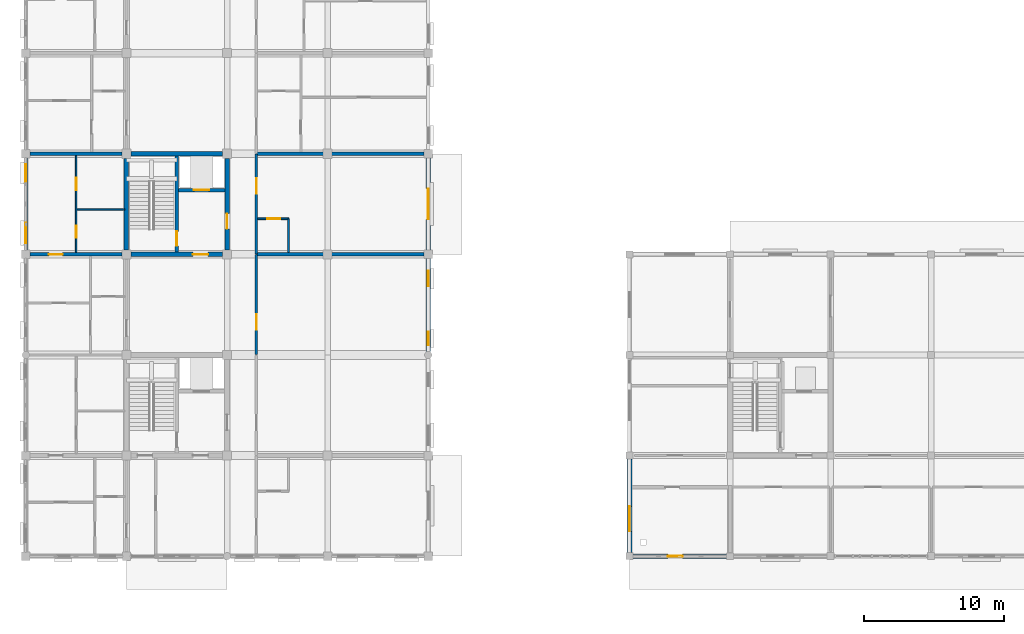
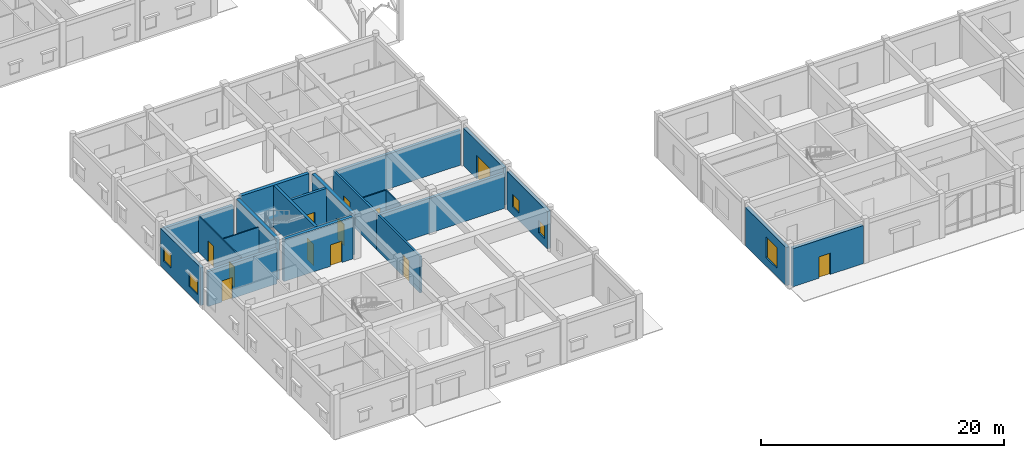
# One storey, part 96 of 138: 21 walls, 12 doors, 5 windows, 17 openings.
"""IFC4 building model written with IfcOpenShell, lengths in metres."""

from ifc_helpers import new_model, si_unit, direction, frame, frame_2d, origin, place, context, subcontext, project, spatial, rectangle, extrude, material, layer, layer_set, type_object, element, fill, save


model = new_model("IFC4")

# Units and contexts
model_context = context("Model", 3, precision=1e-05, world=origin(), true_north=direction((0.0, 1.0)))
body_context = subcontext(model_context, "Body", "Model", "MODEL_VIEW")
ifc_project = project(units=[si_unit("LENGTHUNIT", "METRE"), si_unit("AREAUNIT", "SQUARE_METRE"), si_unit("VOLUMEUNIT", "CUBIC_METRE"), si_unit("PLANEANGLEUNIT", "RADIAN"), si_unit("MASSUNIT", "GRAM", prefix="KILO"), si_unit("THERMODYNAMICTEMPERATUREUNIT", "KELVIN"), si_unit("POWERUNIT", "WATT")], contexts=[model_context])

# Site, building, storey
site_placement = place(None, origin())
site = spatial("IfcSite", under=ifc_project, at=site_placement, CompositionType="ELEMENT")
building_placement = place(site_placement, origin())
building = spatial("IfcBuilding", under=site, at=building_placement, Name="Tavuni Mirador Residences", CompositionType="ELEMENT")
storey_placement = place(building_placement, origin())
storey = spatial("IfcBuildingStorey", under=building, at=storey_placement, Name="L00", CompositionType="ELEMENT", Elevation=0.0)

# Wall, opening, door
ifc_material_1 = material(Name="Precast concrete C40/50", Category="concrete")
ifc_layer_1 = layer(ifc_material_1, 0.25, Name="Precast concrete C40/50", Category="concrete")
ifc_layer_set_1 = layer_set([ifc_layer_1], Name="Precast concrete C40/50")
wall_type_1 = type_object("IfcWallType", Name="WT-COR250", PredefinedType="SHEAR", material=ifc_layer_set_1)
wall_1_placement = place(storey_placement, frame((14.39990234375, 28.9599609375, 0.0), z_axis=(0.0, 0.0, 1.0), x_axis=(0.0, 1.0, 0.0)))
wall_1 = element("IfcWall", 1, at=wall_1_placement, inside=storey, type_object=wall_type_1, Name="CWALL-C2-L00-MID", PredefinedType="SHEAR", context=body_context, shape_type="SweptSolid", body=[
    extrude(rectangle(XDim=6.880126953125, YDim=0.25, at=frame_2d((3.43994140625, 0.0))), origin(), (0.0, 0.0, 1.0), 4.219970703125),
])
opening_1_placement = place(wall_1_placement, frame((0.43994140625, 0.0, 0.0)))
opening_1 = element("IfcOpeningElement", 2, at=opening_1_placement, cuts=wall_1, Name="Opening D-01", PredefinedType="OPENING", context=body_context, shape_type="SweptSolid", body=[
    extrude(rectangle(XDim=1.050048828125, YDim=2.14990234375, at=frame_2d((0.52490234375, 1.074951171875))), frame((0.0, 0.135009765625, 0.0), z_axis=(0.0, -1.0, 0.0), x_axis=(1.0, 0.0, 0.0)), (0.0, 0.0, 1.0), 0.27001953125),
])
ifc_material_2 = material(Name="Solid core iroko timber", Category="wood")
door_type_1 = type_object("IfcDoorType", Name="DT-ST1050", OperationType="NOTDEFINED", PredefinedType="DOOR", material=ifc_material_2)
door_1_placement = place(opening_1_placement, frame((1.050048828125, 0.0, 0.0), z_axis=(0.0, 0.0, 1.0), x_axis=(-1.0, 0.0, 0.0)))
door_1 = element("IfcDoor", 3, at=door_1_placement, inside=storey, type_object=door_type_1, Name="DR-2060", OperationType="SINGLE_SWING_RIGHT", OverallHeight=2.14990234375, OverallWidth=1.050048828125, PredefinedType="DOOR", context=body_context, shape_type="SweptSolid", body=[
    extrude(rectangle(XDim=1.050048828125, YDim=2.14990234375, at=frame_2d((0.52490234375, 1.074951171875))), frame((0.0, 0.02490234375, 0.0), z_axis=(0.0, -1.0, 0.0), x_axis=(1.0, 0.0, 0.0)), (0.0, 0.0, 1.0), 0.050048828125),
])
fill(opening_1, door_1)

wall_2_placement = place(storey_placement, frame((14.52490234375, 33.39990234375, 0.0), z_axis=(0.0, 0.0, 1.0), x_axis=(1.0, 0.0, 0.0)))
wall_2 = element("IfcWall", 4, at=wall_2_placement, inside=storey, type_object=wall_type_1, Name="CWALL-C2-L00-SHF", PredefinedType="SHEAR", context=body_context, shape_type="SweptSolid", body=[
    extrude(rectangle(XDim=3.315185546875, YDim=0.25, at=frame_2d((1.65771484375, 0.0))), origin(), (0.0, 0.0, 1.0), 4.219970703125),
])
opening_2_placement = place(wall_2_placement, frame((1.10009765625, 0.0, 0.0)))
opening_2 = element("IfcOpeningElement", 5, at=opening_2_placement, cuts=wall_2, Name="Opening LD-01", PredefinedType="OPENING", context=body_context, shape_type="SweptSolid", body=[
    extrude(rectangle(XDim=1.10009765625, YDim=2.199951171875, at=frame_2d((0.550048828125, 1.10009765625))), frame((0.0, 0.135009765625, 0.0), z_axis=(0.0, -1.0, 0.0), x_axis=(1.0, 0.0, 0.0)), (0.0, 0.0, 1.0), 0.27001953125),
])
ifc_material_3 = material(Name="Structural steel S355", Category="steel")
door_type_2 = type_object("IfcDoorType", Name="DT-LD-FF", OperationType="SLIDING_TO_LEFT", PredefinedType="DOOR", material=ifc_material_3)
door_2_placement = place(opening_2_placement, origin())
door_2 = element("IfcDoor", 6, at=door_2_placement, inside=storey, type_object=door_type_2, Name="Lift landing door FL-A2 L00", OperationType="SLIDING_TO_LEFT", OverallHeight=2.199951171875, OverallWidth=1.10009765625, PredefinedType="DOOR", context=body_context, shape_type="SweptSolid", body=[
    extrude(rectangle(XDim=1.10009765625, YDim=2.199951171875, at=frame_2d((0.550048828125, 1.10009765625))), frame((0.0, 0.02490234375, 0.0), z_axis=(0.0, -1.0, 0.0), x_axis=(1.0, 0.0, 0.0)), (0.0, 0.0, 1.0), 0.050048828125),
])
fill(opening_2, door_2)

# Walls
ifc_layer_2 = layer(ifc_material_1, 0.320068359375, Name="Precast concrete C40/50", Category="concrete")
ifc_layer_set_2 = layer_set([ifc_layer_2], Name="Precast concrete C40/50")
wall_type_2 = type_object("IfcWallType", Name="WT-COR320", PredefinedType="SHEAR", material=ifc_layer_set_2)
for number, where, z_axis, x_axis, name in (
    (7, (10.800048828125, 29.125, 0.0), (0.0, 0.0, 1.0), (0.0, 1.0, 0.0), "CWALL-C2-L00-W"),
    (8, (11.125, 36.0, 0.0), (0.0, 0.0, 1.0), (1.0, 0.0, 0.0), "CWALL-C2-L00-N"),
):
    element("IfcWall", number, at=place(storey_placement, frame(where, z_axis=z_axis, x_axis=x_axis)), inside=storey, type_object=wall_type_2, Name=name, PredefinedType="SHEAR", context=body_context, shape_type="SweptSolid", body=[
        extrude(rectangle(XDim=6.550048828125, YDim=0.320068359375, at=frame_2d((3.27490234375, 0.0))), origin(), (0.0, 0.0, 1.0), 4.219970703125),
    ])

# Wall, opening, door
wall_3_placement = place(storey_placement, frame((18.0, 29.125, 0.0), z_axis=(0.0, 0.0, 1.0), x_axis=(0.0, 1.0, 0.0)))
wall_3 = element("IfcWall", 9, at=wall_3_placement, inside=storey, type_object=wall_type_2, Name="CWALL-C2-L00-E", PredefinedType="SHEAR", context=body_context, shape_type="SweptSolid", body=[
    extrude(rectangle(XDim=6.550048828125, YDim=0.320068359375, at=frame_2d((3.27490234375, 0.0))), origin(), (0.0, 0.0, 1.0), 4.219970703125),
])
opening_3_placement = place(wall_3_placement, frame((1.5, 0.0, 0.0)))
opening_3 = element("IfcOpeningElement", 10, at=opening_3_placement, cuts=wall_3, Name="Opening D-02", PredefinedType="OPENING", context=body_context, shape_type="SweptSolid", body=[
    extrude(rectangle(XDim=1.10009765625, YDim=2.14990234375, at=frame_2d((0.550048828125, 1.074951171875))), frame((0.0, 0.169921875, 0.0), z_axis=(0.0, -1.0, 0.0), x_axis=(1.0, 0.0, 0.0)), (0.0, 0.0, 1.0), 0.340087890625),
])
door_type_3 = type_object("IfcDoorType", Name="DT-LOB1100", OperationType="NOTDEFINED", PredefinedType="DOOR", material=ifc_material_2)
door_3_placement = place(opening_3_placement, frame((1.10009765625, 0.0, 0.0), z_axis=(0.0, 0.0, 1.0), x_axis=(-1.0, 0.0, 0.0)))
door_3 = element("IfcDoor", 11, at=door_3_placement, inside=storey, type_object=door_type_3, Name="DR-2058", OperationType="SINGLE_SWING_LEFT", OverallHeight=2.14990234375, OverallWidth=1.10009765625, PredefinedType="DOOR", context=body_context, shape_type="SweptSolid", body=[
    extrude(rectangle(XDim=1.10009765625, YDim=2.14990234375, at=frame_2d((0.550048828125, 1.074951171875))), frame((0.0, 0.02490234375, 0.0), z_axis=(0.0, -1.0, 0.0), x_axis=(1.0, 0.0, 0.0)), (0.0, 0.0, 1.0), 0.050048828125),
])
fill(opening_3, door_3)

wall_4_placement = place(storey_placement, frame((11.125, 28.800048828125, 0.0), z_axis=(0.0, 0.0, 1.0), x_axis=(1.0, 0.0, 0.0)))
wall_4 = element("IfcWall", 12, at=wall_4_placement, inside=storey, type_object=wall_type_2, Name="CWALL-C2-L00-SS", PredefinedType="SHEAR", context=body_context, shape_type="SweptSolid", body=[
    extrude(rectangle(XDim=6.550048828125, YDim=0.320068359375, at=frame_2d((3.27490234375, 0.0))), origin(), (0.0, 0.0, 1.0), 4.219970703125),
])
opening_4_placement = place(wall_4_placement, frame((4.425048828125, 0.0, 0.0)))
opening_4 = element("IfcOpeningElement", 13, at=opening_4_placement, cuts=wall_4, Name="Opening D-02", PredefinedType="OPENING", context=body_context, shape_type="SweptSolid", body=[
    extrude(rectangle(XDim=1.10009765625, YDim=2.14990234375, at=frame_2d((0.550048828125, 1.074951171875))), frame((0.0, 0.169921875, 0.0), z_axis=(0.0, -1.0, 0.0), x_axis=(1.0, 0.0, 0.0)), (0.0, 0.0, 1.0), 0.340087890625),
])
door_4_placement = place(opening_4_placement, frame((1.10009765625, 0.0, 0.0), z_axis=(0.0, 0.0, 1.0), x_axis=(-1.0, 0.0, 0.0)))
door_4 = element("IfcDoor", 14, at=door_4_placement, inside=storey, type_object=door_type_3, Name="DR-2059", OperationType="SINGLE_SWING_LEFT", OverallHeight=2.14990234375, OverallWidth=1.10009765625, PredefinedType="DOOR", context=body_context, shape_type="SweptSolid", body=[
    extrude(rectangle(XDim=1.10009765625, YDim=2.14990234375, at=frame_2d((0.550048828125, 1.074951171875))), frame((0.0, 0.02490234375, 0.0), z_axis=(0.0, -1.0, 0.0), x_axis=(1.0, 0.0, 0.0)), (0.0, 0.0, 1.0), 0.050048828125),
])
fill(opening_4, door_4)

ifc_layer_3 = layer(ifc_material_1, 0.18505859375, Name="Precast concrete C40/50", Category="concrete")
ifc_layer_set_3 = layer_set([ifc_layer_3], Name="Precast concrete C40/50")
wall_type_3 = type_object("IfcWallType", Name="WT-CORR185", PredefinedType="PARTITIONING", material=ifc_layer_set_3)
wall_5_placement = place(storey_placement, frame((20.10009765625, 21.6201171875, 0.0), z_axis=(0.0, 0.0, 1.0), x_axis=(0.0, 1.0, 0.0)))
wall_5 = element("IfcWall", 15, at=wall_5_placement, inside=storey, type_object=wall_type_3, Name="CORW-BLK-A-L00-0-02", PredefinedType="PARTITIONING", context=body_context, shape_type="SweptSolid", body=[
    extrude(rectangle(XDim=7.159912109375, YDim=0.18505859375, at=frame_2d((3.580078125, 0.0))), origin(), (0.0, 0.0, 1.0), 3.655029296875),
])
opening_5_placement = place(wall_5_placement, frame((1.780029296875, 0.0, 0.0)))
opening_5 = element("IfcOpeningElement", 16, at=opening_5_placement, cuts=wall_5, Name="Opening D-02", PredefinedType="OPENING", context=body_context, shape_type="SweptSolid", body=[
    extrude(rectangle(XDim=1.10009765625, YDim=2.14990234375, at=frame_2d((0.550048828125, 1.074951171875))), frame((0.0, 0.1025390625, 0.0), z_axis=(0.0, -1.0, 0.0), x_axis=(1.0, 0.0, 0.0)), (0.0, 0.0, 1.0), 0.205078125),
])
door_5_placement = place(opening_5_placement, origin())
door_5 = element("IfcDoor", 17, at=door_5_placement, inside=storey, type_object=door_type_3, Name="DR-2385", OperationType="SINGLE_SWING_RIGHT", OverallHeight=2.14990234375, OverallWidth=1.10009765625, PredefinedType="DOOR", context=body_context, shape_type="SweptSolid", body=[
    extrude(rectangle(XDim=1.10009765625, YDim=2.14990234375, at=frame_2d((0.550048828125, 1.074951171875))), frame((0.0, 0.02490234375, 0.0), z_axis=(0.0, -1.0, 0.0), x_axis=(1.0, 0.0, 0.0)), (0.0, 0.0, 1.0), 0.050048828125),
])
fill(opening_5, door_5)

wall_6_placement = place(storey_placement, frame((20.10009765625, 28.820068359375, 0.0), z_axis=(0.0, 0.0, 1.0), x_axis=(0.0, 1.0, 0.0)))
wall_6 = element("IfcWall", 18, at=wall_6_placement, inside=storey, type_object=wall_type_3, Name="CORW-BLK-A-L00-0-03", PredefinedType="PARTITIONING", context=body_context, shape_type="SweptSolid", body=[
    extrude(rectangle(XDim=7.159912109375, YDim=0.18505859375, at=frame_2d((3.580078125, 0.0))), origin(), (0.0, 0.0, 1.0), 3.655029296875),
])
opening_6_placement = place(wall_6_placement, frame((4.330078125, 0.0, 0.0)))
opening_6 = element("IfcOpeningElement", 19, at=opening_6_placement, cuts=wall_6, Name="Opening D-02", PredefinedType="OPENING", context=body_context, shape_type="SweptSolid", body=[
    extrude(rectangle(XDim=1.10009765625, YDim=2.14990234375, at=frame_2d((0.550048828125, 1.074951171875))), frame((0.0, 0.1025390625, 0.0), z_axis=(0.0, -1.0, 0.0), x_axis=(1.0, 0.0, 0.0)), (0.0, 0.0, 1.0), 0.205078125),
])
door_6_placement = place(opening_6_placement, origin())
door_6 = element("IfcDoor", 20, at=door_6_placement, inside=storey, type_object=door_type_3, Name="DR-2386", OperationType="SINGLE_SWING_LEFT", OverallHeight=2.14990234375, OverallWidth=1.10009765625, PredefinedType="DOOR", context=body_context, shape_type="SweptSolid", body=[
    extrude(rectangle(XDim=1.10009765625, YDim=2.14990234375, at=frame_2d((0.550048828125, 1.074951171875))), frame((0.0, 0.02490234375, 0.0), z_axis=(0.0, -1.0, 0.0), x_axis=(1.0, 0.0, 0.0)), (0.0, 0.0, 1.0), 0.050048828125),
])
fill(opening_6, door_6)

ifc_layer_4 = layer(ifc_material_1, 0.330078125, Name="Precast concrete C40/50", Category="concrete")
ifc_layer_set_4 = layer_set([ifc_layer_4], Name="Precast concrete C40/50")
wall_type_4 = type_object("IfcWallType", Name="WT-EXT-COR330", PredefinedType="SOLIDWALL", material=ifc_layer_set_4)
wall_7_placement = place(storey_placement, frame((47.050048828125, 7.199951171875, 0.0), z_axis=(0.0, 0.0, 1.0), x_axis=(1.0, 0.0, 0.0)))
wall_7 = element("IfcWall", 21, at=wall_7_placement, inside=storey, type_object=wall_type_4, Name="EW-PAV-SHOP-L00-S00", PredefinedType="SOLIDWALL", context=body_context, shape_type="SweptSolid", body=[
    extrude(rectangle(XDim=6.7099609375, YDim=0.330078125, at=frame_2d((3.35498046875, 0.0))), origin(), (0.0, 0.0, 1.0), 3.830078125),
])
opening_7_placement = place(wall_7_placement, frame((2.5, 0.0, 0.0)))
opening_7 = element("IfcOpeningElement", 22, at=opening_7_placement, cuts=wall_7, Name="Opening FD-09", PredefinedType="OPENING", context=body_context, shape_type="SweptSolid", body=[
    extrude(rectangle(XDim=1.06005859375, YDim=2.14990234375, at=frame_2d((0.530029296875, 1.074951171875))), frame((0.0, 0.175048828125, 0.0), z_axis=(0.0, -1.0, 0.0), x_axis=(1.0, 0.0, 0.0)), (0.0, 0.0, 1.0), 0.35009765625),
])
door_type_4 = type_object("IfcDoorType", Name="DT-FCC1060", OperationType="NOTDEFINED", PredefinedType="DOOR", material=ifc_material_3)
door_7_placement = place(opening_7_placement, frame((1.06005859375, 0.0, 0.0), z_axis=(0.0, 0.0, 1.0), x_axis=(-1.0, 0.0, 0.0)))
door_7 = element("IfcDoor", 23, at=door_7_placement, inside=storey, type_object=door_type_4, Name="Fire Command Centre exit door DR-0029", OperationType="SINGLE_SWING_LEFT", OverallHeight=2.14990234375, OverallWidth=1.06005859375, PredefinedType="DOOR", context=body_context, shape_type="SweptSolid", body=[
    extrude(rectangle(XDim=1.06005859375, YDim=2.14990234375, at=frame_2d((0.530029296875, 1.074951171875))), frame((0.0, 0.02490234375, 0.0), z_axis=(0.0, -1.0, 0.0), x_axis=(1.0, 0.0, 0.0)), (0.0, 0.0, 1.0), 0.050048828125),
])
fill(opening_7, door_7)

# Wall, opening, window
wall_8_placement = place(storey_placement, frame((46.800048828125, 14.159912109375, 0.0), z_axis=(0.0, 0.0, 1.0), x_axis=(0.0, -1.0, 0.0)))
wall_8 = element("IfcWall", 24, at=wall_8_placement, inside=storey, type_object=wall_type_4, Name="EW-PAV-SHOP-L00-W00", PredefinedType="SOLIDWALL", context=body_context, shape_type="SweptSolid", body=[
    extrude(rectangle(XDim=6.7099609375, YDim=0.330078125, at=frame_2d((3.35498046875, 0.0))), origin(), (0.0, 0.0, 1.0), 3.830078125),
])
opening_8_placement = place(wall_8_placement, frame((3.389892578125, 0.0, 0.85009765625)))
opening_8 = element("IfcOpeningElement", 25, at=opening_8_placement, cuts=wall_8, Name="Opening WN-31", PredefinedType="OPENING", context=body_context, shape_type="SweptSolid", body=[
    extrude(rectangle(XDim=1.800048828125, YDim=2.10009765625, at=frame_2d((0.89990234375, 1.050048828125))), frame((0.0, 0.175048828125, 0.0), z_axis=(0.0, -1.0, 0.0), x_axis=(1.0, 0.0, 0.0)), (0.0, 0.0, 1.0), 0.35009765625),
])
ifc_material_4 = material(Name="Laminated solar-control glass", Category="glass")
window_type_1 = type_object("IfcWindowType", Name="WNT-31", PartitioningType="SINGLE_PANEL", PredefinedType="WINDOW", material=ifc_material_4)
window_1_placement = place(opening_8_placement, origin())
window_1 = element("IfcWindow", 26, at=window_1_placement, inside=storey, type_object=window_type_1, Name="WIN-1888", OverallHeight=2.10009765625, OverallWidth=1.800048828125, PartitioningType="SINGLE_PANEL", PredefinedType="WINDOW", context=body_context, shape_type="SweptSolid", body=[
    extrude(rectangle(XDim=1.800048828125, YDim=2.10009765625, at=frame_2d((0.89990234375, 1.050048828125))), frame((0.0, 0.030029296875, 0.0), z_axis=(0.0, -1.0, 0.0), x_axis=(1.0, 0.0, 0.0)), (0.0, 0.0, 1.0), 0.06005859375),
])
fill(opening_8, window_1)

# Wall, opening, door
ifc_material_5 = material(Name="Sgraffito lime-rendered precast concrete C40/50", Category="concrete")
ifc_layer_5 = layer(ifc_material_5, 0.2900390625, Name="Sgraffito lime-rendered precast concrete C40/50", Category="concrete")
ifc_layer_set_5 = layer_set([ifc_layer_5], Name="Sgraffito lime-rendered precast concrete C40/50")
wall_type_5 = type_object("IfcWallType", Name="WT-EXT-PC290", PredefinedType="SOLIDWALL", material=ifc_layer_set_5)
wall_9_placement = place(storey_placement, frame((32.39990234375, 29.10009765625, 0.0), z_axis=(0.0, 0.0, 1.0), x_axis=(0.0, 1.0, 0.0)))
wall_9 = element("IfcWall", 27, at=wall_9_placement, inside=storey, type_object=wall_type_5, Name="EW-BLK-A-L00-E03", PredefinedType="SOLIDWALL", context=body_context, shape_type="SweptSolid", body=[
    extrude(rectangle(XDim=6.599853515625, YDim=0.2900390625, at=frame_2d((3.2998046875, 0.0))), origin(), (0.0, 0.0, 1.0), 3.7900390625),
])
opening_9_placement = place(wall_9_placement, frame((2.199951171875, 0.0, 0.0)))
opening_9 = element("IfcOpeningElement", 28, at=opening_9_placement, cuts=wall_9, Name="Opening EX-04", PredefinedType="OPENING", context=body_context, shape_type="SweptSolid", body=[
    extrude(rectangle(XDim=2.199951171875, YDim=2.35009765625, at=frame_2d((1.10009765625, 1.175048828125))), frame((0.0, 0.155029296875, 0.0), z_axis=(0.0, -1.0, 0.0), x_axis=(1.0, 0.0, 0.0)), (0.0, 0.0, 1.0), 0.31005859375),
])
ifc_material_6 = material(Name="Anodised aluminium", Category="aluminium")
door_type_5 = type_object("IfcDoorType", Name="DT-EX2200", OperationType="DOUBLE_DOOR_SINGLE_SWING", PredefinedType="DOOR", material=ifc_material_6)
door_8_placement = place(opening_9_placement, frame((2.199951171875, 0.0, 0.0), z_axis=(0.0, 0.0, 1.0), x_axis=(-1.0, 0.0, 0.0)))
door_8 = element("IfcDoor", 29, at=door_8_placement, inside=storey, type_object=door_type_5, Name="Final exit door EX-003", OperationType="DOUBLE_DOOR_SINGLE_SWING", OverallHeight=2.35009765625, OverallWidth=2.199951171875, PredefinedType="DOOR", context=body_context, shape_type="SweptSolid", body=[
    extrude(rectangle(XDim=2.199951171875, YDim=2.35009765625, at=frame_2d((1.10009765625, 1.175048828125))), frame((0.0, 0.02490234375, 0.0), z_axis=(0.0, -1.0, 0.0), x_axis=(1.0, 0.0, 0.0)), (0.0, 0.0, 1.0), 0.050048828125),
])
fill(opening_9, door_8)

# Wall, openings, windows
wall_10_placement = place(storey_placement, frame((3.60009765625, 35.699951171875, 0.0), z_axis=(0.0, 0.0, 1.0), x_axis=(0.0, -1.0, 0.0)))
wall_10 = element("IfcWall", 30, at=wall_10_placement, inside=storey, type_object=wall_type_5, Name="EW-BLK-A-L00-W03", PredefinedType="SOLIDWALL", context=body_context, shape_type="SweptSolid", body=[
    extrude(rectangle(XDim=6.599853515625, YDim=0.2900390625, at=frame_2d((3.2998046875, 0.0))), origin(), (0.0, 0.0, 1.0), 3.7900390625),
])
opening_10_placement = place(wall_10_placement, frame((0.449951171875, 0.0, 0.780029296875)))
opening_10 = element("IfcOpeningElement", 31, at=opening_10_placement, cuts=wall_10, Name="Opening WN-28", PredefinedType="OPENING", context=body_context, shape_type="SweptSolid", body=[
    extrude(rectangle(XDim=1.25, YDim=1.43994140625, at=frame_2d((0.625, 0.719970703125))), frame((0.0, 0.155029296875, 0.0), z_axis=(0.0, -1.0, 0.0), x_axis=(1.0, 0.0, 0.0)), (0.0, 0.0, 1.0), 0.31005859375),
])
opening_11_placement = place(wall_10_placement, frame((4.64990234375, 0.0, 0.780029296875)))
opening_11 = element("IfcOpeningElement", 32, at=opening_11_placement, cuts=wall_10, Name="Opening WN-30", PredefinedType="OPENING", context=body_context, shape_type="SweptSolid", body=[
    extrude(rectangle(XDim=1.449951171875, YDim=1.43994140625, at=frame_2d((0.72509765625, 0.719970703125))), frame((0.0, 0.155029296875, 0.0), z_axis=(0.0, -1.0, 0.0), x_axis=(1.0, 0.0, 0.0)), (0.0, 0.0, 1.0), 0.31005859375),
])
window_type_2 = type_object("IfcWindowType", Name="WNT-28", PartitioningType="SINGLE_PANEL", PredefinedType="WINDOW", material=ifc_material_4)
window_2_placement = place(opening_10_placement, origin())
window_2 = element("IfcWindow", 33, at=window_2_placement, inside=storey, type_object=window_type_2, Name="WIN-0027", OverallHeight=1.43994140625, OverallWidth=1.25, PartitioningType="SINGLE_PANEL", PredefinedType="WINDOW", context=body_context, shape_type="SweptSolid", body=[
    extrude(rectangle(XDim=1.25, YDim=1.43994140625, at=frame_2d((0.625, 0.719970703125))), frame((0.0, 0.030029296875, 0.0), z_axis=(0.0, -1.0, 0.0), x_axis=(1.0, 0.0, 0.0)), (0.0, 0.0, 1.0), 0.06005859375),
])
fill(opening_10, window_2)
window_type_3 = type_object("IfcWindowType", Name="WNT-30", PartitioningType="SINGLE_PANEL", PredefinedType="WINDOW", material=ifc_material_4)
window_3_placement = place(opening_11_placement, origin())
window_3 = element("IfcWindow", 34, at=window_3_placement, inside=storey, type_object=window_type_3, Name="WIN-0028", OverallHeight=1.43994140625, OverallWidth=1.449951171875, PartitioningType="SINGLE_PANEL", PredefinedType="WINDOW", context=body_context, shape_type="SweptSolid", body=[
    extrude(rectangle(XDim=1.449951171875, YDim=1.43994140625, at=frame_2d((0.72509765625, 0.719970703125))), frame((0.0, 0.030029296875, 0.0), z_axis=(0.0, -1.0, 0.0), x_axis=(1.0, 0.0, 0.0)), (0.0, 0.0, 1.0), 0.06005859375),
])
fill(opening_11, window_3)

ifc_layer_6 = layer(ifc_material_5, 0.304931640625, Name="Sgraffito lime-rendered precast concrete C40/50", Category="concrete")
ifc_layer_set_6 = layer_set([ifc_layer_6], Name="Sgraffito lime-rendered precast concrete C40/50")
wall_type_6 = type_object("IfcWallType", Name="WT-EXT-PC305", PredefinedType="SOLIDWALL", material=ifc_layer_set_6)
wall_11_placement = place(storey_placement, frame((32.39990234375, 21.860107421875, 0.0), z_axis=(0.0, 0.0, 1.0), x_axis=(0.0, 1.0, 0.0)))
wall_11 = element("IfcWall", 35, at=wall_11_placement, inside=storey, type_object=wall_type_6, Name="EW-BLK-A-L00-E02", PredefinedType="SOLIDWALL", context=body_context, shape_type="SweptSolid", body=[
    extrude(rectangle(XDim=6.639892578125, YDim=0.304931640625, at=frame_2d((3.31982421875, 0.0))), origin(), (0.0, 0.0, 1.0), 3.7900390625),
])
opening_12_placement = place(wall_11_placement, frame((0.449951171875, 0.0, 0.780029296875)))
opening_12 = element("IfcOpeningElement", 36, at=opening_12_placement, cuts=wall_11, Name="Opening WN-10", PredefinedType="OPENING", context=body_context, shape_type="SweptSolid", body=[
    extrude(rectangle(XDim=0.9599609375, YDim=1.260009765625, at=frame_2d((0.47998046875, 0.6298828125))), frame((0.0, 0.16259765625, 0.0), z_axis=(0.0, -1.0, 0.0), x_axis=(1.0, 0.0, 0.0)), (0.0, 0.0, 1.0), 0.324951171875),
])
opening_13_placement = place(wall_11_placement, frame((4.64990234375, 0.0, 0.780029296875)))
opening_13 = element("IfcOpeningElement", 37, at=opening_13_placement, cuts=wall_11, Name="Opening WN-12", PredefinedType="OPENING", context=body_context, shape_type="SweptSolid", body=[
    extrude(rectangle(XDim=1.1201171875, YDim=1.260009765625, at=frame_2d((0.56005859375, 0.6298828125))), frame((0.0, 0.16259765625, 0.0), z_axis=(0.0, -1.0, 0.0), x_axis=(1.0, 0.0, 0.0)), (0.0, 0.0, 1.0), 0.324951171875),
])
window_type_4 = type_object("IfcWindowType", Name="WNT-10", PartitioningType="SINGLE_PANEL", PredefinedType="WINDOW", material=ifc_material_4)
window_4_placement = place(opening_12_placement, origin())
window_4 = element("IfcWindow", 38, at=window_4_placement, inside=storey, type_object=window_type_4, Name="WIN-0009", OverallHeight=1.260009765625, OverallWidth=0.9599609375, PartitioningType="SINGLE_PANEL", PredefinedType="WINDOW", context=body_context, shape_type="SweptSolid", body=[
    extrude(rectangle(XDim=0.9599609375, YDim=1.260009765625, at=frame_2d((0.47998046875, 0.6298828125))), frame((0.0, 0.030029296875, 0.0), z_axis=(0.0, -1.0, 0.0), x_axis=(1.0, 0.0, 0.0)), (0.0, 0.0, 1.0), 0.06005859375),
])
fill(opening_12, window_4)
window_type_5 = type_object("IfcWindowType", Name="WNT-12", PartitioningType="SINGLE_PANEL", PredefinedType="WINDOW", material=ifc_material_4)
window_5_placement = place(opening_13_placement, origin())
window_5 = element("IfcWindow", 39, at=window_5_placement, inside=storey, type_object=window_type_5, Name="WIN-0010", OverallHeight=1.260009765625, OverallWidth=1.1201171875, PartitioningType="SINGLE_PANEL", PredefinedType="WINDOW", context=body_context, shape_type="SweptSolid", body=[
    extrude(rectangle(XDim=1.1201171875, YDim=1.260009765625, at=frame_2d((0.56005859375, 0.6298828125))), frame((0.0, 0.030029296875, 0.0), z_axis=(0.0, -1.0, 0.0), x_axis=(1.0, 0.0, 0.0)), (0.0, 0.0, 1.0), 0.06005859375),
])
fill(opening_13, window_5)

# Wall
ifc_material_7 = material(Name="Acoustic gypsum and concrete block partition", Category="concrete")
ifc_layer_7 = layer(ifc_material_7, 0.10498046875, Name="Acoustic gypsum and concrete block partition", Category="concrete")
ifc_layer_set_7 = layer_set([ifc_layer_7], Name="Acoustic gypsum and concrete block partition")
wall_type_7 = type_object("IfcWallType", Name="WT-PART105", PredefinedType="PARTITIONING", material=ifc_layer_set_7)
wall_12_placement = place(storey_placement, frame((7.27001953125, 32.0, 0.0), z_axis=(0.0, 0.0, 1.0), x_axis=(1.0, 0.0, 0.0)))
element("IfcWall", 40, at=wall_12_placement, inside=storey, type_object=wall_type_7, Name="PW-BLK-A-L00-WC03-H", PredefinedType="PARTITIONING", context=body_context, shape_type="SweptSolid", body=[
    extrude(rectangle(XDim=3.389892578125, YDim=0.10498046875, at=frame_2d((1.69482421875, 0.0))), origin(), (0.0, 0.0, 1.0), 3.655029296875),
])

# Wall, openings, doors
ifc_layer_8 = layer(ifc_material_7, 0.114990234375, Name="Acoustic gypsum and concrete block partition", Category="concrete")
ifc_layer_set_8 = layer_set([ifc_layer_8], Name="Acoustic gypsum and concrete block partition")
wall_type_8 = type_object("IfcWallType", Name="WT-PART115", PredefinedType="PARTITIONING", material=ifc_layer_set_8)
wall_13_placement = place(storey_placement, frame((7.199951171875, 28.93994140625, 0.0), z_axis=(0.0, 0.0, 1.0), x_axis=(0.0, 1.0, 0.0)))
wall_13 = element("IfcWall", 41, at=wall_13_placement, inside=storey, type_object=wall_type_8, Name="PW-BLK-A-L00-WC03-M", PredefinedType="PARTITIONING", context=body_context, shape_type="SweptSolid", body=[
    extrude(rectangle(XDim=6.920166015625, YDim=0.114990234375, at=frame_2d((3.4599609375, 0.0))), origin(), (0.0, 0.0, 1.0), 3.655029296875),
])
opening_14_placement = place(wall_13_placement, frame((1.050048828125, 0.0, 0.0)))
opening_14 = element("IfcOpeningElement", 42, at=opening_14_placement, cuts=wall_13, Name="Opening D-10", PredefinedType="OPENING", context=body_context, shape_type="SweptSolid", body=[
    extrude(rectangle(XDim=0.8701171875, YDim=2.050048828125, at=frame_2d((0.43505859375, 1.02490234375))), frame((0.0, 0.0673828125, 0.0), z_axis=(0.0, -1.0, 0.0), x_axis=(1.0, 0.0, 0.0)), (0.0, 0.0, 1.0), 0.135009765625),
])
opening_15_placement = place(wall_13_placement, frame((4.449951171875, 0.0, 0.0)))
opening_15 = element("IfcOpeningElement", 43, at=opening_15_placement, cuts=wall_13, Name="Opening D-08", PredefinedType="OPENING", context=body_context, shape_type="SweptSolid", body=[
    extrude(rectangle(XDim=0.8798828125, YDim=2.080078125, at=frame_2d((0.43994140625, 1.0400390625))), frame((0.0, 0.0673828125, 0.0), z_axis=(0.0, -1.0, 0.0), x_axis=(1.0, 0.0, 0.0)), (0.0, 0.0, 1.0), 0.135009765625),
])
door_type_6 = type_object("IfcDoorType", Name="DT-BED880", OperationType="NOTDEFINED", PredefinedType="DOOR", material=ifc_material_2)
door_9_placement = place(opening_15_placement, origin())
door_9 = element("IfcDoor", 44, at=door_9_placement, inside=storey, type_object=door_type_6, Name="DR-2941", OperationType="SINGLE_SWING_LEFT", OverallHeight=2.080078125, OverallWidth=0.8798828125, PredefinedType="DOOR", context=body_context, shape_type="SweptSolid", body=[
    extrude(rectangle(XDim=0.8798828125, YDim=2.080078125, at=frame_2d((0.43994140625, 1.0400390625))), frame((0.0, 0.02490234375, 0.0), z_axis=(0.0, -1.0, 0.0), x_axis=(1.0, 0.0, 0.0)), (0.0, 0.0, 1.0), 0.050048828125),
])
fill(opening_15, door_9)
door_type_7 = type_object("IfcDoorType", Name="DT-WC870", OperationType="NOTDEFINED", PredefinedType="DOOR", material=ifc_material_2)
door_10_placement = place(opening_14_placement, origin())
door_10 = element("IfcDoor", 45, at=door_10_placement, inside=storey, type_object=door_type_7, Name="DR-2940", OperationType="SINGLE_SWING_RIGHT", OverallHeight=2.050048828125, OverallWidth=0.8701171875, PredefinedType="DOOR", context=body_context, shape_type="SweptSolid", body=[
    extrude(rectangle(XDim=0.8701171875, YDim=2.050048828125, at=frame_2d((0.43505859375, 1.02490234375))), frame((0.0, 0.02490234375, 0.0), z_axis=(0.0, -1.0, 0.0), x_axis=(1.0, 0.0, 0.0)), (0.0, 0.0, 1.0), 0.050048828125),
])
fill(opening_14, door_10)

# Wall
wall_14_placement = place(storey_placement, frame((22.39990234375, 28.93994140625, 0.0), z_axis=(0.0, 0.0, 1.0), x_axis=(0.0, 1.0, 0.0)))
element("IfcWall", 46, at=wall_14_placement, inside=storey, type_object=wall_type_8, Name="PW-BLK-A-L00-E03-1", PredefinedType="PARTITIONING", context=body_context, shape_type="SweptSolid", body=[
    extrude(rectangle(XDim=2.41015625, YDim=0.114990234375, at=frame_2d((1.205078125, 0.0))), origin(), (0.0, 0.0, 1.0), 3.655029296875),
])

# Wall, opening, door
ifc_layer_9 = layer(ifc_material_7, 0.125, Name="Acoustic gypsum and concrete block partition", Category="concrete")
ifc_layer_set_9 = layer_set([ifc_layer_9], Name="Acoustic gypsum and concrete block partition")
wall_type_9 = type_object("IfcWallType", Name="WT-PART125", PredefinedType="PARTITIONING", material=ifc_layer_set_9)
wall_15_placement = place(storey_placement, frame((20.18994140625, 31.35009765625, 0.0), z_axis=(0.0, 0.0, 1.0), x_axis=(1.0, 0.0, 0.0)))
wall_15 = element("IfcWall", 47, at=wall_15_placement, inside=storey, type_object=wall_type_9, Name="PW-BLK-A-L00-E03-2", PredefinedType="PARTITIONING", context=body_context, shape_type="SweptSolid", body=[
    extrude(rectangle(XDim=2.2099609375, YDim=0.125, at=frame_2d((1.10498046875, 0.0))), origin(), (0.0, 0.0, 1.0), 3.655029296875),
])
opening_16_placement = place(wall_15_placement, frame((0.679931640625, 0.0, 0.0)))
opening_16 = element("IfcOpeningElement", 48, at=opening_16_placement, cuts=wall_15, Name="Opening D-06", PredefinedType="OPENING", context=body_context, shape_type="SweptSolid", body=[
    extrude(rectangle(XDim=0.919921875, YDim=2.10009765625, at=frame_2d((0.4599609375, 1.050048828125))), frame((0.0, 0.072509765625, 0.0), z_axis=(0.0, -1.0, 0.0), x_axis=(1.0, 0.0, 0.0)), (0.0, 0.0, 1.0), 0.14501953125),
])
door_type_8 = type_object("IfcDoorType", Name="DT-INT920", OperationType="NOTDEFINED", PredefinedType="DOOR", material=ifc_material_2)
door_11_placement = place(opening_16_placement, origin())
door_11 = element("IfcDoor", 49, at=door_11_placement, inside=storey, type_object=door_type_8, Name="DR-2942", OperationType="SINGLE_SWING_LEFT", OverallHeight=2.10009765625, OverallWidth=0.919921875, PredefinedType="DOOR", context=body_context, shape_type="SweptSolid", body=[
    extrude(rectangle(XDim=0.919921875, YDim=2.10009765625, at=frame_2d((0.4599609375, 1.050048828125))), frame((0.0, 0.02490234375, 0.0), z_axis=(0.0, -1.0, 0.0), x_axis=(1.0, 0.0, 0.0)), (0.0, 0.0, 1.0), 0.050048828125),
])
fill(opening_16, door_11)

ifc_layer_10 = layer(ifc_material_1, 0.264892578125, Name="Precast concrete C40/50", Category="concrete")
ifc_layer_set_10 = layer_set([ifc_layer_10], Name="Precast concrete C40/50")
wall_type_10 = type_object("IfcWallType", Name="WT-XW265", PredefinedType="SOLIDWALL", material=ifc_layer_set_10)
wall_16_placement = place(storey_placement, frame((3.89990234375, 28.800048828125, 0.0), z_axis=(0.0, 0.0, 1.0), x_axis=(1.0, 0.0, 0.0)))
wall_16 = element("IfcWall", 50, at=wall_16_placement, inside=storey, type_object=wall_type_10, Name="XW-BLK-A-L00-W-03", PredefinedType="SOLIDWALL", context=body_context, shape_type="SweptSolid", body=[
    extrude(rectangle(XDim=6.5751953125, YDim=0.264892578125, at=frame_2d((3.28759765625, 0.0))), origin(), (0.0, 0.0, 1.0), 3.52001953125),
])
opening_17_placement = place(wall_16_placement, frame((1.35009765625, 0.0, 0.0)))
opening_17 = element("IfcOpeningElement", 51, at=opening_17_placement, cuts=wall_16, Name="Opening D-04", PredefinedType="OPENING", context=body_context, shape_type="SweptSolid", body=[
    extrude(rectangle(XDim=0.97998046875, YDim=2.1201171875, at=frame_2d((0.489990234375, 1.06005859375))), frame((0.0, 0.142578125, 0.0), z_axis=(0.0, -1.0, 0.0), x_axis=(1.0, 0.0, 0.0)), (0.0, 0.0, 1.0), 0.284912109375),
])
door_type_9 = type_object("IfcDoorType", Name="DT-FD60-980", OperationType="NOTDEFINED", PredefinedType="DOOR", material=ifc_material_2)
door_12_placement = place(opening_17_placement, origin())
door_12 = element("IfcDoor", 52, at=door_12_placement, inside=storey, type_object=door_type_9, Name="DR-4675", OperationType="SINGLE_SWING_RIGHT", OverallHeight=2.1201171875, OverallWidth=0.97998046875, PredefinedType="DOOR", context=body_context, shape_type="SweptSolid", body=[
    extrude(rectangle(XDim=0.97998046875, YDim=2.1201171875, at=frame_2d((0.489990234375, 1.06005859375))), frame((0.0, 0.02490234375, 0.0), z_axis=(0.0, -1.0, 0.0), x_axis=(1.0, 0.0, 0.0)), (0.0, 0.0, 1.0), 0.050048828125),
])
fill(opening_17, door_12)

# Walls
wall_17_placement = place(storey_placement, frame((20.10009765625, 28.800048828125, 0.0), z_axis=(0.0, 0.0, 1.0), x_axis=(1.0, 0.0, 0.0)))
element("IfcWall", 53, at=wall_17_placement, inside=storey, type_object=wall_type_10, Name="XW-BLK-A-L00-E-03", PredefinedType="SOLIDWALL", context=body_context, shape_type="SweptSolid", body=[
    extrude(rectangle(XDim=12.0, YDim=0.264892578125, at=frame_2d((6.0, 0.0))), origin(), (0.0, 0.0, 1.0), 3.52001953125),
])
wall_18_placement = place(storey_placement, frame((3.89990234375, 36.0, 0.0), z_axis=(0.0, 0.0, 1.0), x_axis=(1.0, 0.0, 0.0)))
element("IfcWall", 54, at=wall_18_placement, inside=storey, type_object=wall_type_10, Name="XW-BLK-A-L00-W-04", PredefinedType="SOLIDWALL", context=body_context, shape_type="SweptSolid", body=[
    extrude(rectangle(XDim=6.5751953125, YDim=0.264892578125, at=frame_2d((3.28759765625, 0.0))), origin(), (0.0, 0.0, 1.0), 3.52001953125),
])
wall_19_placement = place(storey_placement, frame((20.10009765625, 36.0, 0.0), z_axis=(0.0, 0.0, 1.0), x_axis=(1.0, 0.0, 0.0)))
element("IfcWall", 55, at=wall_19_placement, inside=storey, type_object=wall_type_10, Name="XW-BLK-A-L00-E-04", PredefinedType="SOLIDWALL", context=body_context, shape_type="SweptSolid", body=[
    extrude(rectangle(XDim=12.0, YDim=0.264892578125, at=frame_2d((6.0, 0.0))), origin(), (0.0, 0.0, 1.0), 3.52001953125),
])

save(model, "model.ifc")
